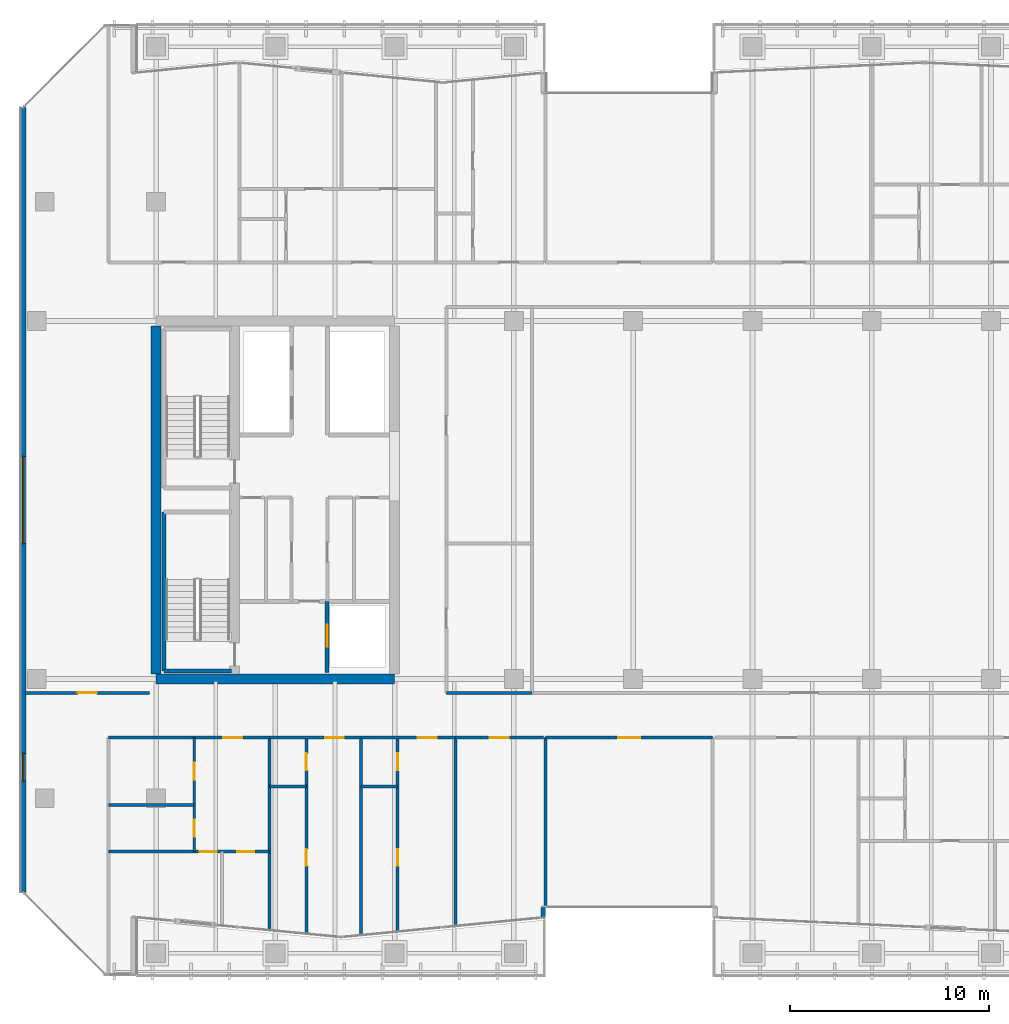
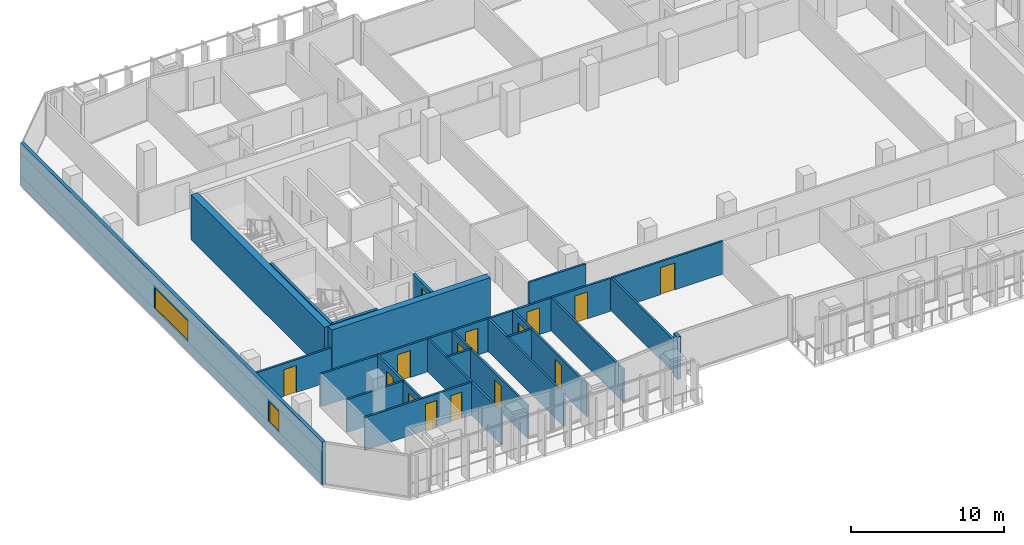
# One storey, part 27 of 39: 25 walls, 15 doors, 2 windows, 17 openings.
"""IFC4 building model written with IfcOpenShell, lengths in metres."""

from ifc_helpers import new_model, si_unit, direction, frame, frame_2d, origin, place, context, subcontext, project, spatial, rectangle, extrude, material, layer, layer_set, type_object, element, fill, save


model = new_model("IFC4")

# Units and contexts
model_context = context("Model", 3, precision=1e-05, world=origin(), true_north=direction((0.0, 1.0)))
body_context = subcontext(model_context, "Body", "Model", "MODEL_VIEW")
ifc_project = project(units=[si_unit("LENGTHUNIT", "METRE"), si_unit("AREAUNIT", "SQUARE_METRE"), si_unit("VOLUMEUNIT", "CUBIC_METRE"), si_unit("PLANEANGLEUNIT", "RADIAN"), si_unit("MASSUNIT", "GRAM", prefix="KILO")], contexts=[model_context])

# Site, building, storey
site_placement = place(None, origin())
site = spatial("IfcSite", under=ifc_project, at=site_placement, CompositionType="ELEMENT")
building_placement = place(site_placement, origin())
building = spatial("IfcBuilding", under=site, at=building_placement, Name="Tanjung Sevakor Pilgrim Tower", CompositionType="ELEMENT")
storey_placement = place(building_placement, frame((0.0, 0.0, 108.570068359375)))
storey = spatial("IfcBuildingStorey", under=building, at=storey_placement, Name="L30", CompositionType="ELEMENT", Elevation=108.570068359375)

# Walls
ifc_material_1 = material(Name="Concrete C60/75", Category="concrete")
ifc_layer_1 = layer(ifc_material_1, 0.5)
ifc_layer_set_1 = layer_set([ifc_layer_1], Name="WALL-CW-500")
wall_type_1 = type_object("IfcWallType", Name="WALL-CW-500", PredefinedType="SHEAR", material=ifc_layer_set_1)
wall_1_placement = place(storey_placement, frame((24.0, 24.60009765625, 0.0), z_axis=(0.0, 0.0, 1.0), x_axis=(1.0, 0.0, 0.0)))
element("IfcWall", 1, at=wall_1_placement, inside=storey, type_object=wall_type_1, Name="L30 W Core South Shear Wall", PredefinedType="SHEAR", context=body_context, shape_type="SweptSolid", body=[
    extrude(rectangle(XDim=12.0, YDim=0.5, at=frame_2d((6.0, 0.0))), origin(), (0.0, 0.0, 1.0), 3.6298828125),
])
wall_2_placement = place(storey_placement, frame((24.0, 24.85009765625, 0.0), z_axis=(0.0, 0.0, 1.0), x_axis=(0.0, 1.0, 0.0)))
element("IfcWall", 2, at=wall_2_placement, inside=storey, type_object=wall_type_1, Name="L30 W Core Outer Shear Wall", PredefinedType="SHEAR", context=body_context, shape_type="SweptSolid", body=[
    extrude(rectangle(XDim=17.5, YDim=0.5, at=frame_2d((8.75, 0.0))), origin(), (0.0, 0.0, 1.0), 3.6298828125),
])
ifc_material_2 = material(Name="Concrete C40/50", Category="concrete")
ifc_layer_2 = layer(ifc_material_2, 0.14990234375)
ifc_layer_set_2 = layer_set([ifc_layer_2], Name="WT-COMP-150")
wall_type_2 = type_object("IfcWallType", Name="WT-COMP-150", PredefinedType="SOLIDWALL", material=ifc_layer_set_2)
wall_3_placement = place(storey_placement, frame((38.60009765625, 23.89990234375, 0.0), z_axis=(0.0, 0.0, 1.0), x_axis=(1.0, 0.0, 0.0)))
element("IfcWall", 3, at=wall_3_placement, inside=storey, type_object=wall_type_2, Name="L30 Partition IW-L30-029", PredefinedType="SOLIDWALL", context=body_context, shape_type="SweptSolid", body=[
    extrude(rectangle(XDim=4.2998046875, YDim=0.14990234375, at=frame_2d((2.14990234375, 0.0))), origin(), (0.0, 0.0, 1.0), 2.6298828125),
])

# Wall, opening, door
wall_4_placement = place(storey_placement, frame((17.409912109375, 23.89990234375, 0.0), z_axis=(0.0, 0.0, 1.0), x_axis=(1.0, 0.0, 0.0)))
wall_4 = element("IfcWall", 4, at=wall_4_placement, inside=storey, type_object=wall_type_2, Name="L30 Partition IW-L30-043", PredefinedType="SOLIDWALL", context=body_context, shape_type="SweptSolid", body=[
    extrude(rectangle(XDim=6.27001953125, YDim=0.14990234375, at=frame_2d((3.135009765625, 0.0))), origin(), (0.0, 0.0, 1.0), 2.6298828125),
])
opening_1_placement = place(wall_4_placement, frame((2.659912109375, 0.0, 0.0)))
opening_1 = element("IfcOpeningElement", 5, at=opening_1_placement, cuts=wall_4, Name="Opening ID-FD2", PredefinedType="OPENING", context=body_context, shape_type="SweptSolid", body=[
    extrude(rectangle(XDim=0.949951171875, YDim=2.14990234375, at=frame_2d((0.47509765625, 1.074951171875))), frame((0.0, 0.0849609375, 0.0), z_axis=(0.0, -1.0, 0.0), x_axis=(1.0, 0.0, 0.0)), (0.0, 0.0, 1.0), 0.169921875),
])
ifc_material_3 = material(Name="Fire-Rated Timber", Category="wood")
door_type_1 = type_object("IfcDoorType", Name="DT-FIRE-950", OperationType="NOTDEFINED", PredefinedType="DOOR", material=ifc_material_3)
door_1_placement = place(opening_1_placement, origin())
door_1 = element("IfcDoor", 6, at=door_1_placement, inside=storey, type_object=door_type_1, Name="Study Room Entrance", OperationType="SINGLE_SWING_LEFT", OverallHeight=2.14990234375, OverallWidth=0.949951171875, PredefinedType="DOOR", context=body_context, shape_type="SweptSolid", body=[
    extrude(rectangle(XDim=0.949951171875, YDim=2.14990234375, at=frame_2d((0.47509765625, 1.074951171875))), frame((0.0, 0.02490234375, 0.0), z_axis=(0.0, -1.0, 0.0), x_axis=(1.0, 0.0, 0.0)), (0.0, 0.0, 1.0), 0.050048828125),
])
fill(opening_1, door_1)

wall_5_placement = place(storey_placement, frame((43.60009765625, 21.64990234375, 0.0), z_axis=(0.0, 0.0, 1.0), x_axis=(1.0, 0.0, 0.0)))
wall_5 = element("IfcWall", 7, at=wall_5_placement, inside=storey, type_object=wall_type_2, Name="L30 Partition IW-L30-050", PredefinedType="SOLIDWALL", context=body_context, shape_type="SweptSolid", body=[
    extrude(rectangle(XDim=8.39990234375, YDim=0.14990234375, at=frame_2d((4.199951171875, 0.0))), origin(), (0.0, 0.0, 1.0), 2.6298828125),
])
opening_2_placement = place(wall_5_placement, frame((3.64990234375, 0.0, 0.0)))
opening_2 = element("IfcOpeningElement", 8, at=opening_2_placement, cuts=wall_5, Name="Opening ID-RM2", PredefinedType="OPENING", context=body_context, shape_type="SweptSolid", body=[
    extrude(rectangle(XDim=1.10009765625, YDim=2.14990234375, at=frame_2d((0.550048828125, 1.074951171875))), frame((0.0, 0.0849609375, 0.0), z_axis=(0.0, -1.0, 0.0), x_axis=(1.0, 0.0, 0.0)), (0.0, 0.0, 1.0), 0.169921875),
])
ifc_material_4 = material(Name="Hardwood Timber", Category="wood")
door_type_2 = type_object("IfcDoorType", Name="DT-INT-1100", OperationType="NOTDEFINED", PredefinedType="DOOR", material=ifc_material_4)
door_2_placement = place(opening_2_placement, origin())
door_2 = element("IfcDoor", 9, at=door_2_placement, inside=storey, type_object=door_type_2, Name="L30 South Cleft Observatory Door", OperationType="SINGLE_SWING_RIGHT", OverallHeight=2.14990234375, OverallWidth=1.10009765625, PredefinedType="DOOR", context=body_context, shape_type="SweptSolid", body=[
    extrude(rectangle(XDim=1.10009765625, YDim=2.14990234375, at=frame_2d((0.550048828125, 1.074951171875))), frame((0.0, 0.02490234375, 0.0), z_axis=(0.0, -1.0, 0.0), x_axis=(1.0, 0.0, 0.0)), (0.0, 0.0, 1.0), 0.050048828125),
])
fill(opening_2, door_2)

# Walls
wall_6_placement = place(storey_placement, frame((43.60009765625, 13.125, 0.0), z_axis=(0.0, 0.0, 1.0), x_axis=(0.0, 1.0, 0.0)))
element("IfcWall", 10, at=wall_6_placement, inside=storey, type_object=wall_type_2, Name="L30 Partition IW-L30-051", PredefinedType="SOLIDWALL", context=body_context, shape_type="SweptSolid", body=[
    extrude(rectangle(XDim=8.52490234375, YDim=0.14990234375, at=frame_2d((4.262451171875, 0.0))), origin(), (0.0, 0.0, 1.0), 2.6298828125),
])
wall_7_placement = place(storey_placement, frame((29.712890625, 11.953857421875, 0.0), z_axis=(0.0, 0.0, 1.0), x_axis=(0.0, 1.0, 0.0)))
element("IfcWall", 11, at=wall_7_placement, inside=storey, type_object=wall_type_2, Name="L30 Partition IW-L30-057", PredefinedType="SOLIDWALL", context=body_context, shape_type="SweptSolid", body=[
    extrude(rectangle(XDim=9.696044921875, YDim=0.14990234375, at=frame_2d((4.84814453125, 0.0))), origin(), (0.0, 0.0, 1.0), 2.6298828125),
])

# Wall, opening, door
wall_8_placement = place(storey_placement, frame((21.60009765625, 21.64990234375, 0.0), z_axis=(0.0, 0.0, 1.0), x_axis=(1.0, 0.0, 0.0)))
wall_8 = element("IfcWall", 12, at=wall_8_placement, inside=storey, type_object=wall_type_2, Name="L30 Partition IW-L30-062", PredefinedType="SOLIDWALL", context=body_context, shape_type="SweptSolid", body=[
    extrude(rectangle(XDim=8.11279296875, YDim=0.14990234375, at=frame_2d((4.056396484375, 0.0))), origin(), (0.0, 0.0, 1.0), 2.6298828125),
])
opening_3_placement = place(wall_8_placement, frame((5.781494140625, 0.0, 0.0)))
opening_3 = element("IfcOpeningElement", 13, at=opening_3_placement, cuts=wall_8, Name="Opening ID-FD2", PredefinedType="OPENING", context=body_context, shape_type="SweptSolid", body=[
    extrude(rectangle(XDim=0.949951171875, YDim=2.14990234375, at=frame_2d((0.47509765625, 1.074951171875))), frame((0.0, 0.0849609375, 0.0), z_axis=(0.0, -1.0, 0.0), x_axis=(1.0, 0.0, 0.0)), (0.0, 0.0, 1.0), 0.169921875),
])
door_3_placement = place(opening_3_placement, origin())
door_3 = element("IfcDoor", 14, at=door_3_placement, inside=storey, type_object=door_type_1, Name="Suite Entrance", OperationType="SINGLE_SWING_RIGHT", OverallHeight=2.14990234375, OverallWidth=0.949951171875, PredefinedType="DOOR", context=body_context, shape_type="SweptSolid", body=[
    extrude(rectangle(XDim=0.949951171875, YDim=2.14990234375, at=frame_2d((0.47509765625, 1.074951171875))), frame((0.0, 0.02490234375, 0.0), z_axis=(0.0, -1.0, 0.0), x_axis=(1.0, 0.0, 0.0)), (0.0, 0.0, 1.0), 0.050048828125),
])
fill(opening_3, door_3)

# Wall
wall_9_placement = place(storey_placement, frame((34.302001953125, 11.702880859375, 0.0), z_axis=(0.0, 0.0, 1.0), x_axis=(0.0, 1.0, 0.0)))
element("IfcWall", 15, at=wall_9_placement, inside=storey, type_object=wall_type_2, Name="L30 Partition IW-L30-063", PredefinedType="SOLIDWALL", context=body_context, shape_type="SweptSolid", body=[
    extrude(rectangle(XDim=9.947021484375, YDim=0.14990234375, at=frame_2d((4.9736328125, 0.0))), origin(), (0.0, 0.0, 1.0), 2.6298828125),
])

# Wall, opening, door
wall_10_placement = place(storey_placement, frame((29.712890625, 21.64990234375, 0.0), z_axis=(0.0, 0.0, 1.0), x_axis=(1.0, 0.0, 0.0)))
wall_10 = element("IfcWall", 16, at=wall_10_placement, inside=storey, type_object=wall_type_2, Name="L30 Partition IW-L30-066", PredefinedType="SOLIDWALL", context=body_context, shape_type="SweptSolid", body=[
    extrude(rectangle(XDim=4.589111328125, YDim=0.14990234375, at=frame_2d((2.29443359375, 0.0))), origin(), (0.0, 0.0, 1.0), 2.6298828125),
])
opening_4_placement = place(wall_10_placement, frame((2.784423828125, 0.0, 0.0)))
opening_4 = element("IfcOpeningElement", 17, at=opening_4_placement, cuts=wall_10, Name="Opening ID-FD2", PredefinedType="OPENING", context=body_context, shape_type="SweptSolid", body=[
    extrude(rectangle(XDim=0.949951171875, YDim=2.14990234375, at=frame_2d((0.47509765625, 1.074951171875))), frame((0.0, 0.0849609375, 0.0), z_axis=(0.0, -1.0, 0.0), x_axis=(1.0, 0.0, 0.0)), (0.0, 0.0, 1.0), 0.169921875),
])
door_4_placement = place(opening_4_placement, origin())
door_4 = element("IfcDoor", 18, at=door_4_placement, inside=storey, type_object=door_type_1, Name="Hotel Guestroom Entrance", OperationType="SINGLE_SWING_LEFT", OverallHeight=2.14990234375, OverallWidth=0.949951171875, PredefinedType="DOOR", context=body_context, shape_type="SweptSolid", body=[
    extrude(rectangle(XDim=0.949951171875, YDim=2.14990234375, at=frame_2d((0.47509765625, 1.074951171875))), frame((0.0, 0.02490234375, 0.0), z_axis=(0.0, -1.0, 0.0), x_axis=(1.0, 0.0, 0.0)), (0.0, 0.0, 1.0), 0.050048828125),
])
fill(opening_4, door_4)

# Wall
wall_11_placement = place(storey_placement, frame((39.054931640625, 12.164306640625, 0.0), z_axis=(0.0, 0.0, 1.0), x_axis=(0.0, 1.0, 0.0)))
element("IfcWall", 19, at=wall_11_placement, inside=storey, type_object=wall_type_2, Name="L30 Partition IW-L30-067", PredefinedType="SOLIDWALL", context=body_context, shape_type="SweptSolid", body=[
    extrude(rectangle(XDim=9.485595703125, YDim=0.14990234375, at=frame_2d((4.74267578125, 0.0))), origin(), (0.0, 0.0, 1.0), 2.6298828125),
])

# Wall, opening, door
wall_12_placement = place(storey_placement, frame((34.302001953125, 21.64990234375, 0.0), z_axis=(0.0, 0.0, 1.0), x_axis=(1.0, 0.0, 0.0)))
wall_12 = element("IfcWall", 20, at=wall_12_placement, inside=storey, type_object=wall_type_2, Name="L30 Partition IW-L30-070", PredefinedType="SOLIDWALL", context=body_context, shape_type="SweptSolid", body=[
    extrude(rectangle(XDim=4.7529296875, YDim=0.14990234375, at=frame_2d((2.37646484375, 0.0))), origin(), (0.0, 0.0, 1.0), 2.6298828125),
])
opening_5_placement = place(wall_12_placement, frame((2.866455078125, 0.0, 0.0)))
opening_5 = element("IfcOpeningElement", 21, at=opening_5_placement, cuts=wall_12, Name="Opening ID-FD2", PredefinedType="OPENING", context=body_context, shape_type="SweptSolid", body=[
    extrude(rectangle(XDim=0.949951171875, YDim=2.14990234375, at=frame_2d((0.47509765625, 1.074951171875))), frame((0.0, 0.0849609375, 0.0), z_axis=(0.0, -1.0, 0.0), x_axis=(1.0, 0.0, 0.0)), (0.0, 0.0, 1.0), 0.169921875),
])
door_5_placement = place(opening_5_placement, origin())
door_5 = element("IfcDoor", 22, at=door_5_placement, inside=storey, type_object=door_type_1, Name="Hostel Quad Entrance", OperationType="SINGLE_SWING_RIGHT", OverallHeight=2.14990234375, OverallWidth=0.949951171875, PredefinedType="DOOR", context=body_context, shape_type="SweptSolid", body=[
    extrude(rectangle(XDim=0.949951171875, YDim=2.14990234375, at=frame_2d((0.47509765625, 1.074951171875))), frame((0.0, 0.02490234375, 0.0), z_axis=(0.0, -1.0, 0.0), x_axis=(1.0, 0.0, 0.0)), (0.0, 0.0, 1.0), 0.050048828125),
])
fill(opening_5, door_5)

wall_13_placement = place(storey_placement, frame((39.054931640625, 21.64990234375, 0.0), z_axis=(0.0, 0.0, 1.0), x_axis=(1.0, 0.0, 0.0)))
wall_13 = element("IfcWall", 23, at=wall_13_placement, inside=storey, type_object=wall_type_2, Name="L30 Partition IW-L30-071", PredefinedType="SOLIDWALL", context=body_context, shape_type="SweptSolid", body=[
    extrude(rectangle(XDim=4.425048828125, YDim=0.14990234375, at=frame_2d((2.21240234375, 0.0))), origin(), (0.0, 0.0, 1.0), 2.6298828125),
])
opening_6_placement = place(wall_13_placement, frame((1.737548828125, 0.0, 0.0)))
opening_6 = element("IfcOpeningElement", 24, at=opening_6_placement, cuts=wall_13, Name="Opening ID-FD2", PredefinedType="OPENING", context=body_context, shape_type="SweptSolid", body=[
    extrude(rectangle(XDim=0.949951171875, YDim=2.14990234375, at=frame_2d((0.47509765625, 1.074951171875))), frame((0.0, 0.0849609375, 0.0), z_axis=(0.0, -1.0, 0.0), x_axis=(1.0, 0.0, 0.0)), (0.0, 0.0, 1.0), 0.169921875),
])
door_6_placement = place(opening_6_placement, origin())
door_6 = element("IfcDoor", 25, at=door_6_placement, inside=storey, type_object=door_type_1, Name="Study Room Entrance", OperationType="SINGLE_SWING_LEFT", OverallHeight=2.14990234375, OverallWidth=0.949951171875, PredefinedType="DOOR", context=body_context, shape_type="SweptSolid", body=[
    extrude(rectangle(XDim=0.949951171875, YDim=2.14990234375, at=frame_2d((0.47509765625, 1.074951171875))), frame((0.0, 0.02490234375, 0.0), z_axis=(0.0, -1.0, 0.0), x_axis=(1.0, 0.0, 0.0)), (0.0, 0.0, 1.0), 0.050048828125),
])
fill(opening_6, door_6)

# Wall
ifc_material_5 = material(Name="Precast concrete C45/55", Category="concrete")
ifc_layer_3 = layer(ifc_material_5, 0.25)
ifc_layer_set_3 = layer_set([ifc_layer_3], Name="WT-EW-STN3")
wall_type_3 = type_object("IfcWallType", Name="WT-EW-STN3", PredefinedType="SOLIDWALL", material=ifc_layer_set_3)
wall_14_placement = place(storey_placement, frame((43.47509765625, 12.593505859375, 0.0), z_axis=(0.0, 0.0, 1.0), x_axis=(0.0, 1.0, 0.0)))
element("IfcWall", 26, at=wall_14_placement, inside=storey, type_object=wall_type_3, Name="L30 MAIN Exterior Wall 7", PredefinedType="SOLIDWALL", context=body_context, shape_type="SweptSolid", body=[
    extrude(rectangle(XDim=0.531494140625, YDim=0.25, at=frame_2d((0.265625, 0.0))), origin(), (0.0, 0.0, 1.0), 3.409912109375),
])

# Wall, openings, windows
wall_15_placement = place(storey_placement, frame((17.324951171875, 53.34814453125, 0.0), z_axis=(0.0, 0.0, 1.0), x_axis=(0.0, -1.0, 0.0)))
wall_15 = element("IfcWall", 27, at=wall_15_placement, inside=storey, type_object=wall_type_3, Name="L30 MAIN Exterior Wall 35", PredefinedType="SOLIDWALL", context=body_context, shape_type="SweptSolid", body=[
    extrude(rectangle(XDim=39.496337890625, YDim=0.25, at=frame_2d((19.748046875, 0.0))), origin(), (0.0, 0.0, 1.0), 3.409912109375),
])
opening_7_placement = place(wall_15_placement, frame((17.548095703125, 0.0, 0.780029296875)))
opening_7 = element("IfcOpeningElement", 28, at=opening_7_placement, cuts=wall_15, Name="Opening WN-ENDW-1660", PredefinedType="OPENING", context=body_context, shape_type="SweptSolid", body=[
    extrude(rectangle(XDim=4.39990234375, YDim=1.659912109375, at=frame_2d((2.199951171875, 0.830078125))), frame((0.0, 0.135009765625, 0.0), z_axis=(0.0, -1.0, 0.0), x_axis=(1.0, 0.0, 0.0)), (0.0, 0.0, 1.0), 0.27001953125),
])
opening_8_placement = place(wall_15_placement, frame((32.4921875, 0.0, 0.780029296875)))
opening_8 = element("IfcOpeningElement", 29, at=opening_8_placement, cuts=wall_15, Name="Opening WN-END", PredefinedType="OPENING", context=body_context, shape_type="SweptSolid", body=[
    extrude(rectangle(XDim=1.39990234375, YDim=1.64990234375, at=frame_2d((0.699951171875, 0.824951171875))), frame((0.0, 0.135009765625, 0.0), z_axis=(0.0, -1.0, 0.0), x_axis=(1.0, 0.0, 0.0)), (0.0, 0.0, 1.0), 0.27001953125),
])
ifc_material_6 = material(Name="Thermally Broken Aluminium and Low-E Glass", Category="aluminium")
window_type_1 = type_object("IfcWindowType", Name="WTYP-WN-END", PartitioningType="SINGLE_PANEL", PredefinedType="WINDOW", material=ifc_material_6)
window_1_placement = place(opening_8_placement, origin())
window_1 = element("IfcWindow", 30, at=window_1_placement, inside=storey, type_object=window_type_1, Name="L30 Facade Window 02", OverallHeight=1.64990234375, OverallWidth=1.39990234375, PartitioningType="SINGLE_PANEL", PredefinedType="WINDOW", context=body_context, shape_type="SweptSolid", body=[
    extrude(rectangle(XDim=1.39990234375, YDim=1.64990234375, at=frame_2d((0.699951171875, 0.824951171875))), frame((0.0, 0.030029296875, 0.0), z_axis=(0.0, -1.0, 0.0), x_axis=(1.0, 0.0, 0.0)), (0.0, 0.0, 1.0), 0.06005859375),
])
fill(opening_8, window_1)
ifc_material_7 = material(Name="Thermally Broken Aluminium and Low-E Glass", Category="aluminium")
window_type_2 = type_object("IfcWindowType", Name="WTYP-WN-ENDW-1660", PartitioningType="DOUBLE_PANEL_VERTICAL", PredefinedType="WINDOW", material=ifc_material_7)
window_2_placement = place(opening_7_placement, origin())
window_2 = element("IfcWindow", 31, at=window_2_placement, inside=storey, type_object=window_type_2, Name="L30 Facade Window 01", OverallHeight=1.659912109375, OverallWidth=4.39990234375, PartitioningType="SINGLE_PANEL", PredefinedType="WINDOW", context=body_context, shape_type="SweptSolid", body=[
    extrude(rectangle(XDim=4.39990234375, YDim=1.659912109375, at=frame_2d((2.199951171875, 0.830078125))), frame((0.0, 0.030029296875, 0.0), z_axis=(0.0, -1.0, 0.0), x_axis=(1.0, 0.0, 0.0)), (0.0, 0.0, 1.0), 0.06005859375),
])
fill(opening_7, window_2)

# Walls
ifc_material_8 = material(Name="Concrete C40/50", Category="concrete")
ifc_layer_4 = layer(ifc_material_8, 0.199951171875)
ifc_layer_set_4 = layer_set([ifc_layer_4], Name="WT-FIRE-200")
wall_type_4 = type_object("IfcWallType", Name="WT-FIRE-200", PredefinedType="SOLIDWALL", material=ifc_layer_set_4)
wall_16_placement = place(storey_placement, frame((24.39990234375, 25.0, 0.0), z_axis=(0.0, 0.0, 1.0), x_axis=(1.0, 0.0, 0.0)))
element("IfcWall", 32, at=wall_16_placement, inside=storey, type_object=wall_type_4, Name="L30 TS-W1 Shaft Wall 1", PredefinedType="SOLIDWALL", context=body_context, shape_type="SweptSolid", body=[
    extrude(rectangle(XDim=3.400146484375, YDim=0.199951171875, at=frame_2d((1.7001953125, 0.0))), origin(), (0.0, 0.0, 1.0), 3.6298828125),
])
wall_17_placement = place(storey_placement, frame((24.39990234375, 33.0, 0.0), z_axis=(0.0, 0.0, 1.0), x_axis=(0.0, -1.0, 0.0)))
element("IfcWall", 33, at=wall_17_placement, inside=storey, type_object=wall_type_4, Name="L30 TS-W1 Shaft Wall 3", PredefinedType="SOLIDWALL", context=body_context, shape_type="SweptSolid", body=[
    extrude(rectangle(XDim=8.0, YDim=0.199951171875, at=frame_2d((4.0, 0.0))), origin(), (0.0, 0.0, 1.0), 3.6298828125),
])

# Wall, opening, door
ifc_material_9 = material(Name="Concrete C40/50", Category="concrete")
ifc_layer_5 = layer(ifc_material_9, 0.199951171875)
ifc_layer_set_5 = layer_set([ifc_layer_5], Name="WT-FPRT-200")
wall_type_5 = type_object("IfcWallType", Name="WT-FPRT-200", PredefinedType="SOLIDWALL", material=ifc_layer_set_5)
wall_18_placement = place(storey_placement, frame((32.60009765625, 24.919921875, 0.0), z_axis=(0.0, 0.0, 1.0), x_axis=(0.0, 1.0, 0.0)))
wall_18 = element("IfcWall", 34, at=wall_18_placement, inside=storey, type_object=wall_type_5, Name="L30 Partition IW-L30-001", PredefinedType="SOLIDWALL", context=body_context, shape_type="SweptSolid", body=[
    extrude(rectangle(XDim=3.580078125, YDim=0.199951171875, at=frame_2d((1.7900390625, 0.0))), origin(), (0.0, 0.0, 1.0), 2.6298828125),
])
opening_9_placement = place(wall_18_placement, frame((1.300048828125, 0.0, 0.0)))
opening_9 = element("IfcOpeningElement", 35, at=opening_9_placement, cuts=wall_18, Name="Opening LD-1100", PredefinedType="OPENING", context=body_context, shape_type="SweptSolid", body=[
    extrude(rectangle(XDim=1.10009765625, YDim=2.199951171875, at=frame_2d((0.550048828125, 1.10009765625))), frame((0.0, 0.10986328125, 0.0), z_axis=(0.0, -1.0, 0.0), x_axis=(1.0, 0.0, 0.0)), (0.0, 0.0, 1.0), 0.219970703125),
])
ifc_material_10 = material(Name="Brushed Stainless Steel S355J2", Category="steel")
door_type_3 = type_object("IfcDoorType", Name="DT-LIFT-1100", OperationType="SLIDING_TO_LEFT", PredefinedType="DOOR", material=ifc_material_10)
door_7_placement = place(opening_9_placement, origin())
door_7 = element("IfcDoor", 36, at=door_7_placement, inside=storey, type_object=door_type_3, Name="LD-FL-W", OperationType="SLIDING_TO_LEFT", OverallHeight=2.199951171875, OverallWidth=1.10009765625, PredefinedType="DOOR", context=body_context, shape_type="SweptSolid", body=[
    extrude(rectangle(XDim=1.10009765625, YDim=2.199951171875, at=frame_2d((0.550048828125, 1.10009765625))), frame((0.0, 0.02490234375, 0.0), z_axis=(0.0, -1.0, 0.0), x_axis=(1.0, 0.0, 0.0)), (0.0, 0.0, 1.0), 0.050048828125),
])
fill(opening_9, door_7)

# Wall
ifc_material_11 = material(Name="Gypsum Board Partition", Category="gypsum board")
ifc_layer_6 = layer(ifc_material_11, 0.14990234375)
ifc_layer_set_6 = layer_set([ifc_layer_6], Name="WT-PART-150")
wall_type_6 = type_object("IfcWallType", Name="WT-PART-150", PredefinedType="PARTITIONING", material=ifc_layer_set_6)
wall_19_placement = place(storey_placement, frame((21.60009765625, 18.267333984375, 0.0), z_axis=(0.0, 0.0, 1.0), x_axis=(1.0, 0.0, 0.0)))
element("IfcWall", 37, at=wall_19_placement, inside=storey, type_object=wall_type_6, Name="L30 Partition IW-L30-058", PredefinedType="PARTITIONING", context=body_context, shape_type="SweptSolid", body=[
    extrude(rectangle(XDim=4.31982421875, YDim=0.14990234375, at=frame_2d((2.159912109375, 0.0))), origin(), (0.0, 0.0, 1.0), 2.6298828125),
])

# Wall, openings, doors
wall_20_placement = place(storey_placement, frame((25.919921875, 15.916748046875, 0.0), z_axis=(0.0, 0.0, 1.0), x_axis=(0.0, 1.0, 0.0)))
wall_20 = element("IfcWall", 38, at=wall_20_placement, inside=storey, type_object=wall_type_6, Name="L30 Partition IW-L30-059", PredefinedType="PARTITIONING", context=body_context, shape_type="SweptSolid", body=[
    extrude(rectangle(XDim=5.733154296875, YDim=0.14990234375, at=frame_2d((2.86669921875, 0.0))), origin(), (0.0, 0.0, 1.0), 2.6298828125),
])
opening_10_placement = place(wall_20_placement, frame((0.750244140625, 0.0, 0.0)))
opening_10 = element("IfcOpeningElement", 39, at=opening_10_placement, cuts=wall_20, Name="Opening ID-WC1", PredefinedType="OPENING", context=body_context, shape_type="SweptSolid", body=[
    extrude(rectangle(XDim=0.85009765625, YDim=2.10009765625, at=frame_2d((0.425048828125, 1.050048828125))), frame((0.0, 0.0849609375, 0.0), z_axis=(0.0, -1.0, 0.0), x_axis=(1.0, 0.0, 0.0)), (0.0, 0.0, 1.0), 0.169921875),
])
opening_11_placement = place(wall_20_placement, frame((3.616943359375, 0.0, 0.0)))
opening_11 = element("IfcOpeningElement", 40, at=opening_11_placement, cuts=wall_20, Name="Opening ID-WC1", PredefinedType="OPENING", context=body_context, shape_type="SweptSolid", body=[
    extrude(rectangle(XDim=0.85009765625, YDim=2.10009765625, at=frame_2d((0.425048828125, 1.050048828125))), frame((0.0, 0.0849609375, 0.0), z_axis=(0.0, -1.0, 0.0), x_axis=(1.0, 0.0, 0.0)), (0.0, 0.0, 1.0), 0.169921875),
])
ifc_material_12 = material(Name="Moisture-Resistant Timber", Category="wood")
door_type_4 = type_object("IfcDoorType", Name="DT-INT-850", OperationType="NOTDEFINED", PredefinedType="DOOR", material=ifc_material_12)
door_8_placement = place(opening_10_placement, origin())
door_8 = element("IfcDoor", 41, at=door_8_placement, inside=storey, type_object=door_type_4, Name="Suite Bathroom Door", OperationType="SINGLE_SWING_RIGHT", OverallHeight=2.10009765625, OverallWidth=0.85009765625, PredefinedType="DOOR", context=body_context, shape_type="SweptSolid", body=[
    extrude(rectangle(XDim=0.85009765625, YDim=2.10009765625, at=frame_2d((0.425048828125, 1.050048828125))), frame((0.0, 0.02490234375, 0.0), z_axis=(0.0, -1.0, 0.0), x_axis=(1.0, 0.0, 0.0)), (0.0, 0.0, 1.0), 0.050048828125),
])
fill(opening_10, door_8)
door_9_placement = place(opening_11_placement, origin())
door_9 = element("IfcDoor", 42, at=door_9_placement, inside=storey, type_object=door_type_4, Name="Suite Kitchenette Door", OperationType="SINGLE_SWING_LEFT", OverallHeight=2.10009765625, OverallWidth=0.85009765625, PredefinedType="DOOR", context=body_context, shape_type="SweptSolid", body=[
    extrude(rectangle(XDim=0.85009765625, YDim=2.10009765625, at=frame_2d((0.425048828125, 1.050048828125))), frame((0.0, 0.02490234375, 0.0), z_axis=(0.0, -1.0, 0.0), x_axis=(1.0, 0.0, 0.0)), (0.0, 0.0, 1.0), 0.050048828125),
])
fill(opening_11, door_9)

wall_21_placement = place(storey_placement, frame((21.60009765625, 15.916748046875, 0.0), z_axis=(0.0, 0.0, 1.0), x_axis=(1.0, 0.0, 0.0)))
wall_21 = element("IfcWall", 43, at=wall_21_placement, inside=storey, type_object=wall_type_6, Name="L30 Partition IW-L30-061", PredefinedType="PARTITIONING", context=body_context, shape_type="SweptSolid", body=[
    extrude(rectangle(XDim=8.11279296875, YDim=0.14990234375, at=frame_2d((4.056396484375, 0.0))), origin(), (0.0, 0.0, 1.0), 2.6298828125),
])
opening_12_placement = place(wall_21_placement, frame((4.59130859375, 0.0, 0.0)))
opening_12 = element("IfcOpeningElement", 44, at=opening_12_placement, cuts=wall_21, Name="Opening ID-WC1", PredefinedType="OPENING", context=body_context, shape_type="SweptSolid", body=[
    extrude(rectangle(XDim=0.85009765625, YDim=2.10009765625, at=frame_2d((0.425048828125, 1.050048828125))), frame((0.0, 0.0849609375, 0.0), z_axis=(0.0, -1.0, 0.0), x_axis=(1.0, 0.0, 0.0)), (0.0, 0.0, 1.0), 0.169921875),
])
opening_13_placement = place(wall_21_placement, frame((6.48779296875, 0.0, 0.0)))
opening_13 = element("IfcOpeningElement", 45, at=opening_13_placement, cuts=wall_21, Name="Opening ID-WC1", PredefinedType="OPENING", context=body_context, shape_type="SweptSolid", body=[
    extrude(rectangle(XDim=0.85009765625, YDim=2.10009765625, at=frame_2d((0.425048828125, 1.050048828125))), frame((0.0, 0.0849609375, 0.0), z_axis=(0.0, -1.0, 0.0), x_axis=(1.0, 0.0, 0.0)), (0.0, 0.0, 1.0), 0.169921875),
])
door_10_placement = place(opening_12_placement, origin())
door_10 = element("IfcDoor", 46, at=door_10_placement, inside=storey, type_object=door_type_4, Name="Suite Bedroom 1 Door", OperationType="SINGLE_SWING_RIGHT", OverallHeight=2.10009765625, OverallWidth=0.85009765625, PredefinedType="DOOR", context=body_context, shape_type="SweptSolid", body=[
    extrude(rectangle(XDim=0.85009765625, YDim=2.10009765625, at=frame_2d((0.425048828125, 1.050048828125))), frame((0.0, 0.02490234375, 0.0), z_axis=(0.0, -1.0, 0.0), x_axis=(1.0, 0.0, 0.0)), (0.0, 0.0, 1.0), 0.050048828125),
])
fill(opening_12, door_10)
door_11_placement = place(opening_13_placement, origin())
door_11 = element("IfcDoor", 47, at=door_11_placement, inside=storey, type_object=door_type_4, Name="Suite Bedroom 2 Door", OperationType="SINGLE_SWING_LEFT", OverallHeight=2.10009765625, OverallWidth=0.85009765625, PredefinedType="DOOR", context=body_context, shape_type="SweptSolid", body=[
    extrude(rectangle(XDim=0.85009765625, YDim=2.10009765625, at=frame_2d((0.425048828125, 1.050048828125))), frame((0.0, 0.02490234375, 0.0), z_axis=(0.0, -1.0, 0.0), x_axis=(1.0, 0.0, 0.0)), (0.0, 0.0, 1.0), 0.050048828125),
])
fill(opening_13, door_11)

# Wall
wall_22_placement = place(storey_placement, frame((29.712890625, 19.199951171875, 0.0), z_axis=(0.0, 0.0, 1.0), x_axis=(1.0, 0.0, 0.0)))
element("IfcWall", 48, at=wall_22_placement, inside=storey, type_object=wall_type_6, Name="L30 Partition IW-L30-064", PredefinedType="PARTITIONING", context=body_context, shape_type="SweptSolid", body=[
    extrude(rectangle(XDim=1.849853515625, YDim=0.14990234375, at=frame_2d((0.9248046875, 0.0))), origin(), (0.0, 0.0, 1.0), 2.6298828125),
])

# Wall, openings, doors
wall_23_placement = place(storey_placement, frame((31.562744140625, 11.7744140625, 0.0), z_axis=(0.0, 0.0, 1.0), x_axis=(0.0, 1.0, 0.0)))
wall_23 = element("IfcWall", 49, at=wall_23_placement, inside=storey, type_object=wall_type_6, Name="L30 Partition IW-L30-065", PredefinedType="PARTITIONING", context=body_context, shape_type="SweptSolid", body=[
    extrude(rectangle(XDim=9.87548828125, YDim=0.14990234375, at=frame_2d((4.937744140625, 0.0))), origin(), (0.0, 0.0, 1.0), 2.6298828125),
])
opening_14_placement = place(wall_23_placement, frame((3.415771484375, 0.0, 0.0)))
opening_14 = element("IfcOpeningElement", 50, at=opening_14_placement, cuts=wall_23, Name="Opening ID-WC1", PredefinedType="OPENING", context=body_context, shape_type="SweptSolid", body=[
    extrude(rectangle(XDim=0.85009765625, YDim=2.10009765625, at=frame_2d((0.425048828125, 1.050048828125))), frame((0.0, 0.0849609375, 0.0), z_axis=(0.0, -1.0, 0.0), x_axis=(1.0, 0.0, 0.0)), (0.0, 0.0, 1.0), 0.169921875),
])
opening_15_placement = place(wall_23_placement, frame((8.2255859375, 0.0, 0.0)))
opening_15 = element("IfcOpeningElement", 51, at=opening_15_placement, cuts=wall_23, Name="Opening ID-WC1", PredefinedType="OPENING", context=body_context, shape_type="SweptSolid", body=[
    extrude(rectangle(XDim=0.85009765625, YDim=2.10009765625, at=frame_2d((0.425048828125, 1.050048828125))), frame((0.0, 0.0849609375, 0.0), z_axis=(0.0, -1.0, 0.0), x_axis=(1.0, 0.0, 0.0)), (0.0, 0.0, 1.0), 0.169921875),
])
door_12_placement = place(opening_14_placement, origin())
door_12 = element("IfcDoor", 52, at=door_12_placement, inside=storey, type_object=door_type_4, Name="Study Nook Door", OperationType="SINGLE_SWING_LEFT", OverallHeight=2.10009765625, OverallWidth=0.85009765625, PredefinedType="DOOR", context=body_context, shape_type="SweptSolid", body=[
    extrude(rectangle(XDim=0.85009765625, YDim=2.10009765625, at=frame_2d((0.425048828125, 1.050048828125))), frame((0.0, 0.02490234375, 0.0), z_axis=(0.0, -1.0, 0.0), x_axis=(1.0, 0.0, 0.0)), (0.0, 0.0, 1.0), 0.050048828125),
])
fill(opening_14, door_12)
door_13_placement = place(opening_15_placement, origin())
door_13 = element("IfcDoor", 53, at=door_13_placement, inside=storey, type_object=door_type_4, Name="Bathroom Door", OperationType="SINGLE_SWING_RIGHT", OverallHeight=2.10009765625, OverallWidth=0.85009765625, PredefinedType="DOOR", context=body_context, shape_type="SweptSolid", body=[
    extrude(rectangle(XDim=0.85009765625, YDim=2.10009765625, at=frame_2d((0.425048828125, 1.050048828125))), frame((0.0, 0.02490234375, 0.0), z_axis=(0.0, -1.0, 0.0), x_axis=(1.0, 0.0, 0.0)), (0.0, 0.0, 1.0), 0.050048828125),
])
fill(opening_15, door_13)

# Wall
wall_24_placement = place(storey_placement, frame((34.302001953125, 19.199951171875, 0.0), z_axis=(0.0, 0.0, 1.0), x_axis=(1.0, 0.0, 0.0)))
element("IfcWall", 54, at=wall_24_placement, inside=storey, type_object=wall_type_6, Name="L30 Partition IW-L30-068", PredefinedType="PARTITIONING", context=body_context, shape_type="SweptSolid", body=[
    extrude(rectangle(XDim=1.849853515625, YDim=0.14990234375, at=frame_2d((0.9248046875, 0.0))), origin(), (0.0, 0.0, 1.0), 2.6298828125),
])

# Wall, openings, doors
wall_25_placement = place(storey_placement, frame((36.15185546875, 11.882568359375, 0.0), z_axis=(0.0, 0.0, 1.0), x_axis=(0.0, 1.0, 0.0)))
wall_25 = element("IfcWall", 55, at=wall_25_placement, inside=storey, type_object=wall_type_6, Name="L30 Partition IW-L30-069", PredefinedType="PARTITIONING", context=body_context, shape_type="SweptSolid", body=[
    extrude(rectangle(XDim=9.767333984375, YDim=0.14990234375, at=frame_2d((4.8837890625, 0.0))), origin(), (0.0, 0.0, 1.0), 2.6298828125),
])
opening_16_placement = place(wall_25_placement, frame((3.3076171875, 0.0, 0.0)))
opening_16 = element("IfcOpeningElement", 56, at=opening_16_placement, cuts=wall_25, Name="Opening ID-WC1", PredefinedType="OPENING", context=body_context, shape_type="SweptSolid", body=[
    extrude(rectangle(XDim=0.85009765625, YDim=2.10009765625, at=frame_2d((0.425048828125, 1.050048828125))), frame((0.0, 0.0849609375, 0.0), z_axis=(0.0, -1.0, 0.0), x_axis=(1.0, 0.0, 0.0)), (0.0, 0.0, 1.0), 0.169921875),
])
opening_17_placement = place(wall_25_placement, frame((8.117431640625, 0.0, 0.0)))
opening_17 = element("IfcOpeningElement", 57, at=opening_17_placement, cuts=wall_25, Name="Opening ID-WC1", PredefinedType="OPENING", context=body_context, shape_type="SweptSolid", body=[
    extrude(rectangle(XDim=0.85009765625, YDim=2.10009765625, at=frame_2d((0.425048828125, 1.050048828125))), frame((0.0, 0.0849609375, 0.0), z_axis=(0.0, -1.0, 0.0), x_axis=(1.0, 0.0, 0.0)), (0.0, 0.0, 1.0), 0.169921875),
])
door_14_placement = place(opening_16_placement, origin())
door_14 = element("IfcDoor", 58, at=door_14_placement, inside=storey, type_object=door_type_4, Name="Study Nook Door", OperationType="SINGLE_SWING_RIGHT", OverallHeight=2.10009765625, OverallWidth=0.85009765625, PredefinedType="DOOR", context=body_context, shape_type="SweptSolid", body=[
    extrude(rectangle(XDim=0.85009765625, YDim=2.10009765625, at=frame_2d((0.425048828125, 1.050048828125))), frame((0.0, 0.02490234375, 0.0), z_axis=(0.0, -1.0, 0.0), x_axis=(1.0, 0.0, 0.0)), (0.0, 0.0, 1.0), 0.050048828125),
])
fill(opening_16, door_14)
door_15_placement = place(opening_17_placement, origin())
door_15 = element("IfcDoor", 59, at=door_15_placement, inside=storey, type_object=door_type_4, Name="Bathroom Door", OperationType="SINGLE_SWING_LEFT", OverallHeight=2.10009765625, OverallWidth=0.85009765625, PredefinedType="DOOR", context=body_context, shape_type="SweptSolid", body=[
    extrude(rectangle(XDim=0.85009765625, YDim=2.10009765625, at=frame_2d((0.425048828125, 1.050048828125))), frame((0.0, 0.02490234375, 0.0), z_axis=(0.0, -1.0, 0.0), x_axis=(1.0, 0.0, 0.0)), (0.0, 0.0, 1.0), 0.050048828125),
])
fill(opening_17, door_15)

save(model, "model.ifc")
